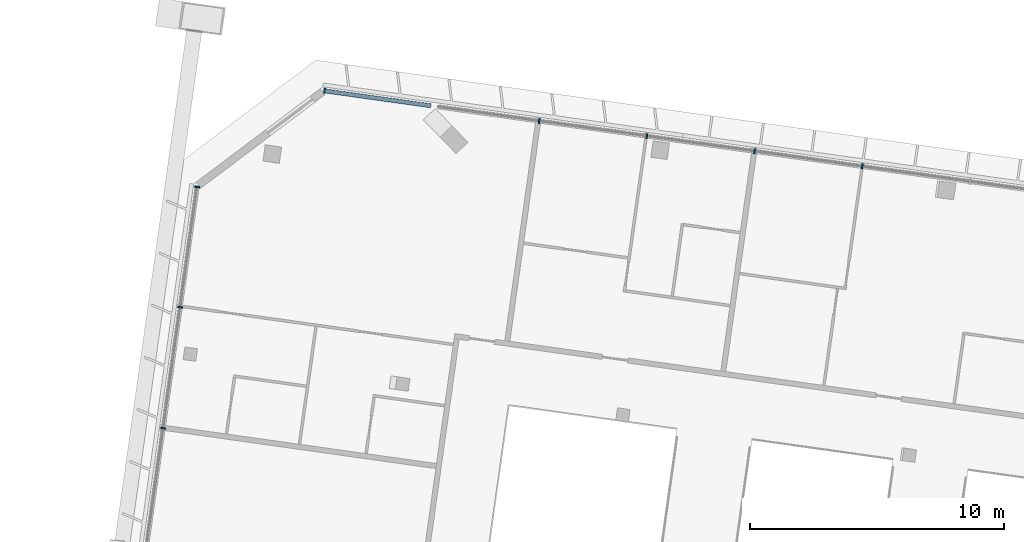
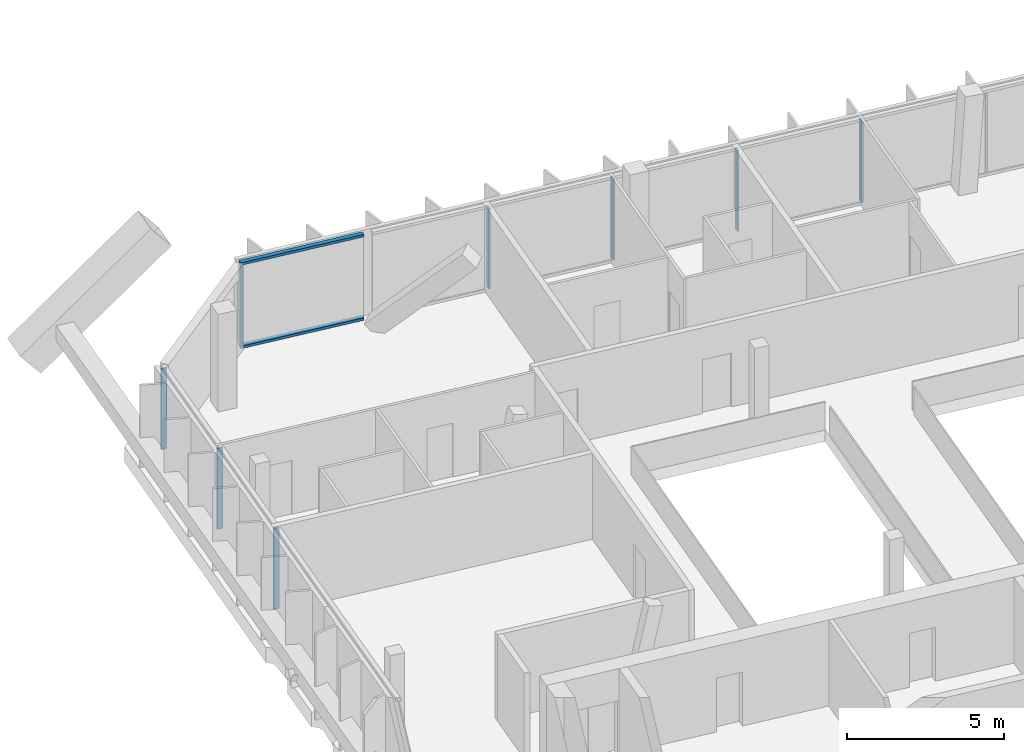
# One storey, part 6 of 26: 10 members, 2 elements without a shape of their own.
"""IFC4 building model written with IfcOpenShell, lengths in metres."""

from ifc_helpers import new_model, si_unit, direction, frame, origin, origin_2d, place, context, subcontext, project, spatial, rectangle, extrude, material, material_profile, profile_set, type_object, element, aggregate, save


model = new_model("IFC4")

# Units and contexts
model_context = context("Model", 3, precision=1e-05, world=origin(), true_north=direction((0.0, 1.0)))
body_context = subcontext(model_context, "Body", "Model", "MODEL_VIEW")
ifc_project = project(units=[si_unit("LENGTHUNIT", "METRE"), si_unit("AREAUNIT", "SQUARE_METRE"), si_unit("VOLUMEUNIT", "CUBIC_METRE"), si_unit("PLANEANGLEUNIT", "RADIAN"), si_unit("MASSUNIT", "GRAM", prefix="KILO")], contexts=[model_context])

# Site, building, storey
site_placement = place(None, origin())
site = spatial("IfcSite", under=ifc_project, at=site_placement, CompositionType="ELEMENT")
building_placement = place(site_placement, origin())
building = spatial("IfcBuilding", under=site, at=building_placement, Name="Mirante Cascada Hotel Towers", CompositionType="ELEMENT")
storey_placement = place(building_placement, frame((0.0, 0.0, 228.0)))
storey = spatial("IfcBuildingStorey", under=building, at=storey_placement, Name="L54", CompositionType="ELEMENT", Elevation=228.0)

# Curtain wall, members
ifc_material_1 = material(Name="Aluminium mullion and transom frame with clear laminated glass", Category="aluminium")
curtain_wall_type_1 = type_object("IfcCurtainWallType", Name="Ribbon curtain wall ECW1", PredefinedType="NOTDEFINED", material=ifc_material_1)
curtain_wall_1_placement = place(storey_placement, origin())
curtain_wall_1 = element("IfcCurtainWall", 1, at=curtain_wall_1_placement, inside=storey, type_object=curtain_wall_type_1, Name="Front ribbon wall T1 L54", PredefinedType="NOTDEFINED")
ifc_material_2 = material(Name="Anodised aluminium extrusion", Category="aluminium")
ifc_material_profile_1 = material_profile(ifc_material_2, rectangle(XDim=0.2, YDim=0.065, at=origin_2d()), Name="ECW1 MULLION 65x200")
ifc_profile_set_1 = profile_set([ifc_material_profile_1], Name="Anodised aluminium extrusion")
member_type_1 = type_object("IfcMemberType", Name="ECW1 mullion 65x200", PredefinedType="MULLION", material=ifc_profile_set_1)
member_1_placement = place(storey_placement, frame((-67.3887, 22.2899, 0.1), z_axis=(0.0, 0.0, 1.0), x_axis=(0.1391731, 0.9902681, 0.0)))
member_1 = element("IfcMember", 2, at=member_1_placement, type_object=member_type_1, Name="ECW1 mullion 1", PredefinedType="MULLION", context=body_context, shape_type="SweptSolid", body=[
    extrude(rectangle(XDim=0.2, YDim=0.065, at=origin_2d()), origin(), (0.0, 0.0, 1.0), 3.15),
])
member_2_placement = place(storey_placement, frame((-58.9414, 21.1027, 0.1), z_axis=(0.0, 0.0, 1.0), x_axis=(0.1391731, 0.9902681, 0.0)))
member_2 = element("IfcMember", 3, at=member_2_placement, type_object=member_type_1, Name="ECW1 mullion 3", PredefinedType="MULLION", context=body_context, shape_type="SweptSolid", body=[
    extrude(rectangle(XDim=0.2, YDim=0.065, at=origin_2d()), origin(), (0.0, 0.0, 1.0), 3.15),
])
member_3_placement = place(storey_placement, frame((-54.7017, 20.5068, 0.1), z_axis=(0.0, 0.0, 1.0), x_axis=(0.1391731, 0.9902681, 0.0)))
member_3 = element("IfcMember", 4, at=member_3_placement, type_object=member_type_1, Name="ECW1 mullion 4", PredefinedType="MULLION", context=body_context, shape_type="SweptSolid", body=[
    extrude(rectangle(XDim=0.2, YDim=0.065, at=origin_2d()), origin(), (0.0, 0.0, 1.0), 3.15),
])
member_4_placement = place(storey_placement, frame((-50.462, 19.911, 0.1), z_axis=(0.0, 0.0, 1.0), x_axis=(0.1391731, 0.9902681, 0.0)))
member_4 = element("IfcMember", 5, at=member_4_placement, type_object=member_type_1, Name="ECW1 mullion 5", PredefinedType="MULLION", context=body_context, shape_type="SweptSolid", body=[
    extrude(rectangle(XDim=0.2, YDim=0.065, at=origin_2d()), origin(), (0.0, 0.0, 1.0), 3.15),
])
member_5_placement = place(storey_placement, frame((-46.2222, 19.3151, 0.1), z_axis=(0.0, 0.0, 1.0), x_axis=(0.1391731, 0.9902681, 0.0)))
member_5 = element("IfcMember", 6, at=member_5_placement, type_object=member_type_1, Name="ECW1 mullion 6", PredefinedType="MULLION", context=body_context, shape_type="SweptSolid", body=[
    extrude(rectangle(XDim=0.2, YDim=0.065, at=origin_2d()), origin(), (0.0, 0.0, 1.0), 3.15),
])
ifc_material_3 = material(Name="Anodised aluminium extrusion", Category="aluminium")
ifc_material_profile_2 = material_profile(ifc_material_3, rectangle(XDim=0.16, YDim=0.1, at=origin_2d()), Name="ECW1 TRANSOM 100x160")
ifc_profile_set_2 = profile_set([ifc_material_profile_2], Name="Anodised aluminium extrusion")
member_type_2 = type_object("IfcMemberType", Name="ECW1 transom 100x160", PredefinedType="USERDEFINED", material=ifc_profile_set_2)
member_6_placement = place(storey_placement, frame((-67.4209, 22.2944, 0.05), z_axis=(0.9902671, -0.1391798, 0.0), x_axis=(0.1391798, 0.9902671, 0.0)))
member_6 = element("IfcMember", 7, at=member_6_placement, type_object=member_type_2, Name="ECW1 sill transom", ObjectType="TRANSOM", PredefinedType="USERDEFINED", context=body_context, shape_type="SweptSolid", body=[
    extrude(rectangle(XDim=0.16, YDim=0.1, at=origin_2d()), origin(), (0.0, 0.0, 1.0), 4.2477),
])
member_7_placement = place(storey_placement, frame((-67.4209, 22.2944, 3.3), z_axis=(0.9902671, -0.1391798, 0.0), x_axis=(0.1391798, 0.9902671, 0.0)))
member_7 = element("IfcMember", 8, at=member_7_placement, type_object=member_type_2, Name="ECW1 head transom", ObjectType="TRANSOM", PredefinedType="USERDEFINED", context=body_context, shape_type="SweptSolid", body=[
    extrude(rectangle(XDim=0.16, YDim=0.1, at=origin_2d()), origin(), (0.0, 0.0, 1.0), 4.2477),
])
aggregate(curtain_wall_1, [member_6, member_7, member_1, member_2, member_3, member_4, member_5])

ifc_material_4 = material(Name="Aluminium mullion and transom frame with clear laminated glass", Category="aluminium")
curtain_wall_type_2 = type_object("IfcCurtainWallType", Name="End ribbon curtain wall ECW2", PredefinedType="NOTDEFINED", material=ifc_material_4)
curtain_wall_2_placement = place(storey_placement, origin())
curtain_wall_2 = element("IfcCurtainWall", 9, at=curtain_wall_2_placement, inside=storey, type_object=curtain_wall_type_2, Name="Outer end wall T1 L54", PredefinedType="NOTDEFINED")
ifc_material_5 = material(Name="Anodised aluminium extrusion", Category="aluminium")
ifc_material_profile_3 = material_profile(ifc_material_5, rectangle(XDim=0.2, YDim=0.065, at=origin_2d()), Name="ECW2 MULLION 65x200")
ifc_profile_set_3 = profile_set([ifc_material_profile_3], Name="Anodised aluminium extrusion")
member_type_3 = type_object("IfcMemberType", Name="ECW2 mullion 65x200", PredefinedType="MULLION", material=ifc_profile_set_3)
member_8_placement = place(storey_placement, frame((-73.7437, 9.0077, 0.1), z_axis=(0.0, 0.0, 1.0), x_axis=(-0.9902681, 0.1391731, 0.0)))
member_8 = element("IfcMember", 10, at=member_8_placement, type_object=member_type_3, Name="ECW2 mullion 5", PredefinedType="MULLION", context=body_context, shape_type="SweptSolid", body=[
    extrude(rectangle(XDim=0.2, YDim=0.065, at=origin_2d()), origin(), (0.0, 0.0, 1.0), 3.15),
])
member_9_placement = place(storey_placement, frame((-73.0739, 13.7735, 0.1), z_axis=(0.0, 0.0, 1.0), x_axis=(-0.9902681, 0.1391731, 0.0)))
member_9 = element("IfcMember", 11, at=member_9_placement, type_object=member_type_3, Name="ECW2 mullion 6", PredefinedType="MULLION", context=body_context, shape_type="SweptSolid", body=[
    extrude(rectangle(XDim=0.2, YDim=0.065, at=origin_2d()), origin(), (0.0, 0.0, 1.0), 3.15),
])
member_10_placement = place(storey_placement, frame((-72.4087, 18.5071, 0.1), z_axis=(0.0, 0.0, 1.0), x_axis=(-0.9902681, 0.1391731, 0.0)))
member_10 = element("IfcMember", 12, at=member_10_placement, type_object=member_type_3, Name="ECW2 mullion 7", PredefinedType="MULLION", context=body_context, shape_type="SweptSolid", body=[
    extrude(rectangle(XDim=0.2, YDim=0.065, at=origin_2d()), origin(), (0.0, 0.0, 1.0), 3.15),
])
aggregate(curtain_wall_2, [member_8, member_9, member_10])

save(model, "model.ifc")
